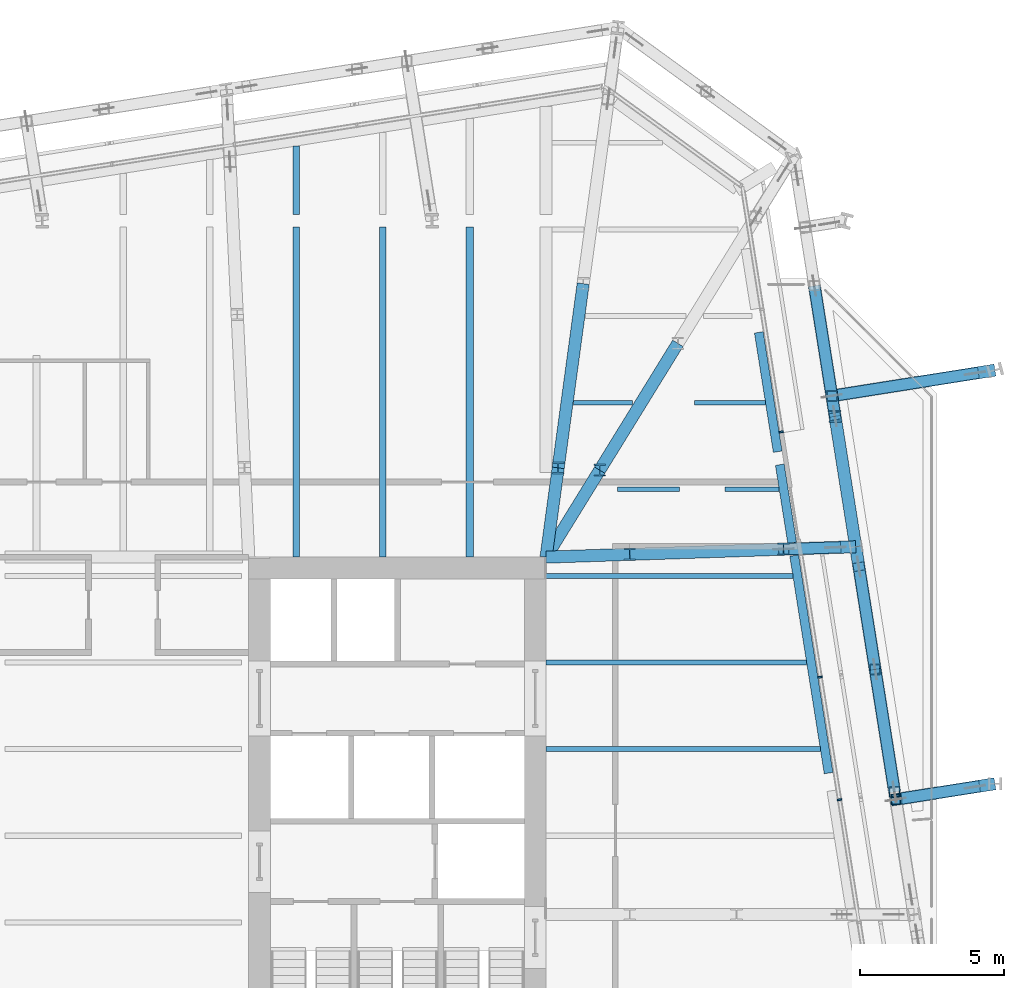
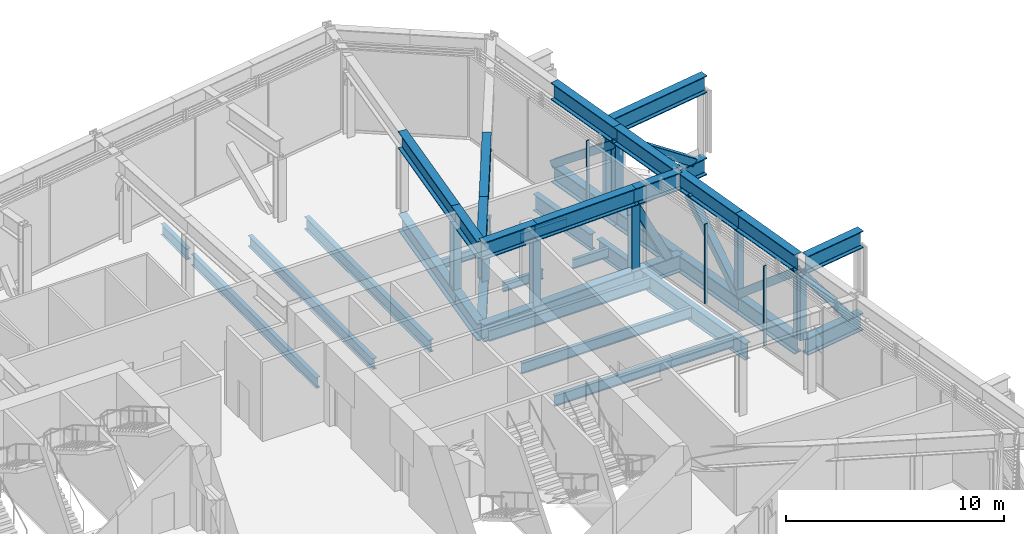
# One storey, part 15 of 32: 40 beams, 18 members, 1 element without a shape of its own.
"""IFC4 building model written with IfcOpenShell, lengths in metres."""

from ifc_helpers import new_model, si_unit, direction, frame, origin, origin_2d, place, context, subcontext, project, spatial, rectangle, hollow_rectangle, i_section, extrude, material, layer, layer_set, material_profile, profile_set, type_object, element, aggregate, save


model = new_model("IFC4")

# Units and contexts
model_context = context("Model", 3, precision=1e-05, world=origin(), true_north=direction((0.0, 1.0)))
body_context = subcontext(model_context, "Body", "Model", "MODEL_VIEW")
ifc_project = project(units=[si_unit("LENGTHUNIT", "METRE"), si_unit("AREAUNIT", "SQUARE_METRE"), si_unit("VOLUMEUNIT", "CUBIC_METRE"), si_unit("PLANEANGLEUNIT", "RADIAN"), si_unit("MASSUNIT", "GRAM", prefix="KILO")], contexts=[model_context])

# Site, building, storey
site_placement = place(None, origin())
site = spatial("IfcSite", under=ifc_project, at=site_placement, CompositionType="ELEMENT")
building_placement = place(site_placement, origin())
building = spatial("IfcBuilding", under=site, at=building_placement, Name="Millrace Tower", CompositionType="ELEMENT")
storey_placement = place(building_placement, frame((0.0, 0.0, 124.89990234375)))
storey = spatial("IfcBuildingStorey", under=building, at=storey_placement, Name="L27", CompositionType="ELEMENT", Elevation=124.89990234375)

# Curtain wall, members
ifc_material_1 = material(Name="Aluminium and glass", Category="aluminium")
ifc_layer = layer(ifc_material_1, 0.14990234375)
ifc_layer_set = layer_set([ifc_layer], Name="Aluminium and glass")
curtain_wall_type = type_object("IfcCurtainWallType", Name="CW-5 truss and plant storey louvred infill", PredefinedType="NOTDEFINED", material=ifc_layer_set)
curtain_wall_placement = place(storey_placement, origin())
curtain_wall = element("IfcCurtainWall", 1, at=curtain_wall_placement, inside=storey, type_object=curtain_wall_type, Name="Curtain wall C-F04 L27", PredefinedType="NOTDEFINED")
ifc_material_2 = material(Name="Aluminium", Category="aluminium")
ifc_material_profile_1 = material_profile(ifc_material_2, rectangle(XDim=0.06494140625, YDim=0.14990234375, at=origin_2d()))
ifc_profile_set_1 = profile_set([ifc_material_profile_1], Name="Aluminium")
member_type_1 = type_object("IfcMemberType", Name="CW-5 truss and plant storey louvred infill mullion", PredefinedType="MULLION", material=ifc_profile_set_1)
member_1_placement = place(storey_placement, frame((24.81591796875, 1.24658203125, 0.14013671875), z_axis=(0.0, 0.0, 1.0), x_axis=(-0.15643447328, 0.98768833929, 0.0)))
member_1 = element("IfcMember", 2, at=member_1_placement, type_object=member_type_1, Name="CW5 mullion C-F04.5", PredefinedType="MULLION", context=body_context, shape_type="SweptSolid", body=[
    extrude(rectangle(XDim=0.06494140625, YDim=0.14990234375, at=origin_2d()), origin(), (0.0, 0.0, 1.0), 4.4599609375),
])
member_2_placement = place(storey_placement, frame((24.143310546875, 5.49365234375, 0.14013671875), z_axis=(0.0, 0.0, 1.0), x_axis=(-0.15643447328, 0.98768833929, 0.0)))
member_2 = element("IfcMember", 3, at=member_2_placement, type_object=member_type_1, Name="CW5 mullion C-F04.6", PredefinedType="MULLION", context=body_context, shape_type="SweptSolid", body=[
    extrude(rectangle(XDim=0.06494140625, YDim=0.14990234375, at=origin_2d()), origin(), (0.0, 0.0, 1.0), 4.4599609375),
])
member_3_placement = place(storey_placement, frame((22.798095703125, 13.98779296875, 0.14013671875), z_axis=(0.0, 0.0, 1.0), x_axis=(-0.15643447328, 0.98768833929, 0.0)))
member_3 = element("IfcMember", 4, at=member_3_placement, type_object=member_type_1, Name="CW5 mullion C-F04.8", PredefinedType="MULLION", context=body_context, shape_type="SweptSolid", body=[
    extrude(rectangle(XDim=0.06494140625, YDim=0.14990234375, at=origin_2d()), origin(), (0.0, 0.0, 1.0), 4.4599609375),
])
aggregate(curtain_wall, [member_1, member_2, member_3])

# Beams
ifc_material_3 = material(Name="Steel ASTM A992 Grade 50", Category="steel")
ifc_material_profile_2 = material_profile(ifc_material_3, i_section(OverallWidth=0.1650390625, OverallDepth=0.52587890625, WebThickness=0.0087890625, FlangeThickness=0.011474609375, FilletRadius=0.0126953125, at=origin_2d()))
ifc_profile_set_2 = profile_set([ifc_material_profile_2], Name="Steel ASTM A992 Grade 50")
beam_type_1 = type_object("IfcBeamType", Name="Floor beam W21x44", PredefinedType="JOIST", material=ifc_profile_set_2)
beam_1_placement = place(storey_placement, frame((20.842041015625, 12.0, -0.4228515625), z_axis=(1.0, 0.0, 0.0), x_axis=(0.0, 1.0, 0.0)))
element("IfcBeam", 5, at=beam_1_placement, inside=storey, type_object=beam_type_1, Name="BM-C-L27-S1-S032-b", PredefinedType="JOIST", context=body_context, shape_type="SweptSolid", body=[
    extrude(i_section(OverallWidth=0.1650390625, OverallDepth=0.52587890625, WebThickness=0.0087890625, FlangeThickness=0.011474609375, FilletRadius=0.0126953125, at=origin_2d()), origin(), (0.0, 0.0, 1.0), 1.8837890625),
])
beam_2_placement = place(storey_placement, frame((19.79833984375, 15.0, -0.4228515625), z_axis=(1.0, 0.0, 0.0), x_axis=(0.0, 1.0, 0.0)))
element("IfcBeam", 6, at=beam_2_placement, inside=storey, type_object=beam_type_1, Name="BM-C-L27-S1-S034-b", PredefinedType="JOIST", context=body_context, shape_type="SweptSolid", body=[
    extrude(i_section(OverallWidth=0.1650390625, OverallDepth=0.52587890625, WebThickness=0.0087890625, FlangeThickness=0.011474609375, FilletRadius=0.0126953125, at=origin_2d()), origin(), (0.0, 0.0, 1.0), 2.4521484375),
])
beam_3_placement = place(storey_placement, frame((17.133056640625, 12.0, -0.4228515625), z_axis=(1.0, 0.0, 0.0), x_axis=(0.0, 1.0, 0.0)))
element("IfcBeam", 7, at=beam_3_placement, inside=storey, type_object=beam_type_1, Name="BM-C-L27-S1-S032-a-b", PredefinedType="JOIST", context=body_context, shape_type="SweptSolid", body=[
    extrude(i_section(OverallWidth=0.1650390625, OverallDepth=0.52587890625, WebThickness=0.0087890625, FlangeThickness=0.011474609375, FilletRadius=0.0126953125, at=origin_2d()), origin(), (0.0, 0.0, 1.0), 2.14208984375),
])
beam_4_placement = place(storey_placement, frame((15.6005859375, 15.0, -0.4228515625), z_axis=(1.0, 0.0, 0.0), x_axis=(0.0, 1.0, 0.0)))
element("IfcBeam", 8, at=beam_4_placement, inside=storey, type_object=beam_type_1, Name="BM-C-L27-S1-S034-a", PredefinedType="JOIST", context=body_context, shape_type="SweptSolid", body=[
    extrude(i_section(OverallWidth=0.1650390625, OverallDepth=0.52587890625, WebThickness=0.0087890625, FlangeThickness=0.011474609375, FilletRadius=0.0126953125, at=origin_2d()), origin(), (0.0, 0.0, 1.0), 2.04638671875),
])
ifc_material_4 = material(Name="Steel ASTM A992 Grade 50", Category="steel")
ifc_material_profile_3 = material_profile(ifc_material_4, i_section(OverallWidth=0.177978515625, OverallDepth=0.599365234375, WebThickness=0.010009765625, FlangeThickness=0.012939453125, FilletRadius=0.012939453125, at=origin_2d()))
ifc_profile_set_3 = profile_set([ifc_material_profile_3], Name="Steel ASTM A992 Grade 50")
beam_type_2 = type_object("IfcBeamType", Name="Floor beam W24x55", PredefinedType="JOIST", material=ifc_profile_set_3)
beam_5_placement = place(storey_placement, frame((14.64990234375, 3.0, -0.459716796875), z_axis=(1.0, 0.0, 0.0), x_axis=(0.0, 1.0, 0.0)))
element("IfcBeam", 9, at=beam_5_placement, inside=storey, type_object=beam_type_2, Name="BM-C-L27-S1-S024", PredefinedType="JOIST", context=body_context, shape_type="SweptSolid", body=[
    extrude(i_section(OverallWidth=0.177978515625, OverallDepth=0.599365234375, WebThickness=0.010009765625, FlangeThickness=0.012939453125, FilletRadius=0.012939453125, at=origin_2d()), origin(), (0.0, 0.0, 1.0), 9.501220703125),
])
beam_6_placement = place(storey_placement, frame((14.64990234375, 6.0, -0.459716796875), z_axis=(1.0, 0.0, 0.0), x_axis=(0.0, 1.0, 0.0)))
element("IfcBeam", 10, at=beam_6_placement, inside=storey, type_object=beam_type_2, Name="BM-C-L27-S1-S027", PredefinedType="JOIST", context=body_context, shape_type="SweptSolid", body=[
    extrude(i_section(OverallWidth=0.177978515625, OverallDepth=0.599365234375, WebThickness=0.010009765625, FlangeThickness=0.012939453125, FilletRadius=0.012939453125, at=origin_2d()), origin(), (0.0, 0.0, 1.0), 9.026123046875),
])
beam_7_placement = place(storey_placement, frame((14.64990234375, 9.0, -0.459716796875), z_axis=(1.0, 0.0, 0.0), x_axis=(0.0, 1.0, 0.0)))
element("IfcBeam", 11, at=beam_7_placement, inside=storey, type_object=beam_type_2, Name="BM-C-L27-S1-S030", PredefinedType="JOIST", context=body_context, shape_type="SweptSolid", body=[
    extrude(i_section(OverallWidth=0.177978515625, OverallDepth=0.599365234375, WebThickness=0.010009765625, FlangeThickness=0.012939453125, FilletRadius=0.012939453125, at=origin_2d()), origin(), (0.0, 0.0, 1.0), 8.551025390625),
])
ifc_material_5 = material(Name="Steel ASTM A992 Grade 50", Category="steel")
ifc_material_profile_4 = material_profile(ifc_material_5, i_section(OverallWidth=0.228271484375, OverallDepth=0.607177734375, WebThickness=0.01123046875, FlangeThickness=0.017333984375, FilletRadius=0.0126953125, at=origin_2d()))
ifc_profile_set_4 = profile_set([ifc_material_profile_4], Name="Steel ASTM A992 Grade 50")
beam_type_3 = type_object("IfcBeamType", Name="Floor beam W24x76", PredefinedType="JOIST", material=ifc_profile_set_4)
for number, where, z_axis, x_axis, name in (
    (12, (9.0, 9.64990234375, -0.46337890625), (0.0, 1.0, 0.0), (-1.0, 0.0, 0.0), "BM-C-L27-S1-S053-a"),
    (13, (6.0, 9.64990234375, -0.46337890625), (0.0, 1.0, 0.0), (-1.0, 0.0, 0.0), "BM-C-L27-S1-S051-a"),
):
    element("IfcBeam", number, at=place(storey_placement, frame(where, z_axis=z_axis, x_axis=x_axis)), inside=storey, type_object=beam_type_3, Name=name, PredefinedType="JOIST", context=body_context, shape_type="SweptSolid", body=[
        extrude(i_section(OverallWidth=0.228271484375, OverallDepth=0.607177734375, WebThickness=0.01123046875, FlangeThickness=0.017333984375, FilletRadius=0.0126953125, at=origin_2d()), origin(), (0.0, 0.0, 1.0), 11.43212890625),
    ])
beam_8_placement = place(storey_placement, frame((6.0, 21.51806640625, -0.46337890625), z_axis=(0.0, 1.0, 0.0), x_axis=(-1.0, 0.0, 0.0)))
element("IfcBeam", 14, at=beam_8_placement, inside=storey, type_object=beam_type_3, Name="BM-C-L27-S1-S051-b", PredefinedType="JOIST", context=body_context, shape_type="SweptSolid", body=[
    extrude(i_section(OverallWidth=0.228271484375, OverallDepth=0.607177734375, WebThickness=0.01123046875, FlangeThickness=0.017333984375, FilletRadius=0.0126953125, at=origin_2d()), origin(), (0.0, 0.0, 1.0), 2.3740234375),
])
ifc_material_6 = material(Name="Steel ASTM A992 Grade 50", Category="steel")
ifc_material_profile_5 = material_profile(ifc_material_6, i_section(OverallWidth=0.256591796875, OverallDepth=0.693359375, WebThickness=0.014404296875, FlangeThickness=0.023681640625, FilletRadius=0.01513671875, at=origin_2d()))
ifc_profile_set_5 = profile_set([ifc_material_profile_5], Name="Steel ASTM A992 Grade 50")
beam_type_4 = type_object("IfcBeamType", Name="Floor beam W27x114", PredefinedType="JOIST", material=ifc_profile_set_5)
beam_9_placement = place(storey_placement, frame((12.0, 9.64990234375, -0.506591796875), z_axis=(0.0, 1.0, 0.0), x_axis=(-1.0, 0.0, 0.0)))
element("IfcBeam", 15, at=beam_9_placement, inside=storey, type_object=beam_type_4, Name="BM-C-L27-S1-S055-a", PredefinedType="JOIST", context=body_context, shape_type="SweptSolid", body=[
    extrude(i_section(OverallWidth=0.256591796875, OverallDepth=0.693359375, WebThickness=0.014404296875, FlangeThickness=0.023681640625, FilletRadius=0.01513671875, at=origin_2d()), origin(), (0.0, 0.0, 1.0), 11.433837890625),
])
ifc_material_7 = material(Name="Steel ASTM A992 Grade 50", Category="steel")
ifc_material_profile_6 = material_profile(ifc_material_7, i_section(OverallWidth=0.307373046875, OverallDepth=0.927001953125, WebThickness=0.01953125, FlangeThickness=0.031982421875, FilletRadius=0.01904296875, at=origin_2d()))
ifc_profile_set_6 = profile_set([ifc_material_profile_6], Name="Steel ASTM A992 Grade 50")
beam_type_5 = type_object("IfcBeamType", Name="Ring beam short span W36x194", PredefinedType="SPANDREL", material=ifc_profile_set_6)
beam_10_placement = place(storey_placement, frame((23.244873046875, 9.704345703125, -0.62353515625), z_axis=(0.15643257318, -0.987688640235, 0.0), x_axis=(0.987688640235, 0.15643257318, 0.0)))
element("IfcBeam", 16, at=beam_10_placement, inside=storey, type_object=beam_type_5, Name="RNG-C-L27-S1-10-a", PredefinedType="SPANDREL", context=body_context, shape_type="SweptSolid", body=[
    extrude(i_section(OverallWidth=0.307373046875, OverallDepth=0.927001953125, WebThickness=0.01953125, FlangeThickness=0.031982421875, FilletRadius=0.01904296875, at=origin_2d()), origin(), (0.0, 0.0, 1.0), 7.628662109375),
])
beam_11_placement = place(storey_placement, frame((22.746337890625, 12.852294921875, -0.62353515625), z_axis=(0.156415652996, -0.987691319947, 0.0), x_axis=(0.987691319947, 0.156415652996, 0.0)))
element("IfcBeam", 17, at=beam_11_placement, inside=storey, type_object=beam_type_5, Name="RNG-C-L27-S1-09-b", PredefinedType="SPANDREL", context=body_context, shape_type="SweptSolid", body=[
    extrude(i_section(OverallWidth=0.307373046875, OverallDepth=0.927001953125, WebThickness=0.01953125, FlangeThickness=0.031982421875, FilletRadius=0.01904296875, at=origin_2d()), origin(), (0.0, 0.0, 1.0), 2.7392578125),
])
beam_12_placement = place(storey_placement, frame((22.020263671875, 17.436767578125, -0.62353515625), z_axis=(0.156429792966, -0.987689080568, 0.0), x_axis=(0.987689080568, 0.156429792966, 0.0)))
element("IfcBeam", 18, at=beam_12_placement, inside=storey, type_object=beam_type_5, Name="RNG-C-L27-S1-09-a-b", PredefinedType="SPANDREL", context=body_context, shape_type="SweptSolid", body=[
    extrude(i_section(OverallWidth=0.307373046875, OverallDepth=0.927001953125, WebThickness=0.01953125, FlangeThickness=0.031982421875, FilletRadius=0.01904296875, at=origin_2d()), origin(), (0.0, 0.0, 1.0), 4.185791015625),
])

# Members
ifc_material_8 = material(Name="Steel ASTM A992 Grade 50", Category="steel")
ifc_material_profile_7 = material_profile(ifc_material_8, i_section(OverallWidth=0.406494140625, OverallDepth=0.41650390625, WebThickness=0.030029296875, FlangeThickness=0.048095703125, FilletRadius=0.01513671875, at=origin_2d()))
ifc_profile_set_7 = profile_set([ifc_material_profile_7], Name="Steel ASTM A992 Grade 50")
member_type_2 = type_object("IfcMemberType", Name="Transfer truss Vierendeel moment post W14x257", PredefinedType="POST", material=ifc_profile_set_7)
for number, where, z_axis, x_axis, name in (
    (19, (24.6611328125, 14.529541015625, -0.159912109375), (0.0, 0.0, 1.0), (1.0, 0.0, 0.0), "TRS-L27-R08-V01"),
    (20, (22.87841796875, 9.92578125, -0.159912109375), (0.0, 0.0, 1.0), (1.0, 0.0, 0.0), "TRS-L27-C08-V01"),
    (21, (17.54833984375, 9.7470703125, -0.159912109375), (0.0, 0.0, 1.0), (1.0, 0.0, 0.0), "TRS-L27-C08-V02"),
    (22, (16.507568359375, 12.66357421875, -0.159912109375), (0.0, 0.0, 1.0), (1.0, 0.0, 0.0), "TRS-L27-C09-V03"),
    (23, (15.06982421875, 12.74169921875, -0.159912109375), (0.0, 0.0, 1.0), (1.0, 0.0, 0.0), "TRS-L27-C10-V03"),
):
    element("IfcMember", number, at=place(storey_placement, frame(where, z_axis=z_axis, x_axis=x_axis)), inside=storey, type_object=member_type_2, Name=name, PredefinedType="POST", context=body_context, shape_type="SweptSolid", body=[
        extrude(i_section(OverallWidth=0.406494140625, OverallDepth=0.41650390625, WebThickness=0.030029296875, FlangeThickness=0.048095703125, FilletRadius=0.01513671875, at=origin_2d()), origin(), (0.0, 0.0, 1.0), 3.642333984375),
    ])

# Beams
ifc_material_9 = material(Name="Steel ASTM A992 Grade 50", Category="steel")
ifc_material_profile_8 = material_profile(ifc_material_9, i_section(OverallWidth=0.421630859375, OverallDepth=0.95751953125, WebThickness=0.02587890625, FlangeThickness=0.046875, FilletRadius=0.024169921875, at=origin_2d()))
ifc_profile_set_8 = profile_set([ifc_material_profile_8], Name="Steel ASTM A992 Grade 50")
beam_type_6 = type_object("IfcBeamType", Name="Transfer truss chord W36x330", PredefinedType="BEAM", material=ifc_profile_set_8)
for number, where, z_axis, x_axis, name in (
    (24, (26.722412109375, 1.515625, -0.638671875), (-0.15642030113, 0.987690583834, 0.0), (-0.987690583834, -0.15642030113, 0.0), "TRS-L27-R07-B02"),
    (25, (26.722412109375, 1.515625, 3.96142578125), (-0.15642030113, 0.987690583834, 0.0), (-0.987690583834, -0.15642030113, 0.0), "TRS-L27-R07-T02"),
    (26, (26.0498046875, 5.7626953125, -0.638671875), (-0.156475688094, 0.987681810623, 0.0), (-0.987681810623, -0.156475688094, 0.0), "TRS-L27-R07-B03"),
    (27, (26.0498046875, 5.7626953125, 3.96142578125), (-0.156475688094, 0.987681810623, 0.0), (-0.987681810623, -0.156475688094, 0.0), "TRS-L27-R07-T03"),
):
    element("IfcBeam", number, at=place(storey_placement, frame(where, z_axis=z_axis, x_axis=x_axis)), inside=storey, type_object=beam_type_6, Name=name, PredefinedType="BEAM", context=body_context, shape_type="SweptSolid", body=[
        extrude(i_section(OverallWidth=0.421630859375, OverallDepth=0.95751953125, WebThickness=0.02587890625, FlangeThickness=0.046875, FilletRadius=0.024169921875, at=origin_2d()), origin(), (0.0, 0.0, 1.0), 4.300048828125),
    ])
for number, where, z_axis, x_axis, name in (
    (28, (25.376953125, 10.009765625, -0.638671875), (-0.156425557764, 0.987689751328, 0.0), (-0.987689751328, -0.156425557764, 0.0), "TRS-L27-R08-B01"),
    (29, (25.376953125, 10.009765625, 3.96142578125), (-0.156425557764, 0.987689751328, 0.0), (-0.987689751328, -0.156425557764, 0.0), "TRS-L27-R08-T01"),
    (30, (24.6611328125, 14.529541015625, -0.638671875), (-0.156425557764, 0.987689751328, 0.0), (-0.987689751328, -0.156425557764, 0.0), "TRS-L27-R08-B02"),
    (31, (24.6611328125, 14.529541015625, 3.96142578125), (-0.156425557764, 0.987689751328, 0.0), (-0.987689751328, -0.156425557764, 0.0), "TRS-L27-R08-T02"),
):
    element("IfcBeam", number, at=place(storey_placement, frame(where, z_axis=z_axis, x_axis=x_axis)), inside=storey, type_object=beam_type_6, Name=name, PredefinedType="BEAM", context=body_context, shape_type="SweptSolid", body=[
        extrude(i_section(OverallWidth=0.421630859375, OverallDepth=0.95751953125, WebThickness=0.02587890625, FlangeThickness=0.046875, FilletRadius=0.024169921875, at=origin_2d()), origin(), (0.0, 0.0, 1.0), 4.576171875),
    ])
for number, where, z_axis, x_axis, name in (
    (32, (25.376953125, 10.009765625, -0.638671875), (-0.999435546417, -0.033594472148, 0.0), (0.033594472148, -0.999435546417, 0.0), "TRS-L27-C08-B01"),
    (33, (25.376953125, 10.009765625, 3.96142578125), (-0.999435546417, -0.033594472148, 0.0), (0.033594472148, -0.999435546417, 0.0), "TRS-L27-C08-T01"),
):
    element("IfcBeam", number, at=place(storey_placement, frame(where, z_axis=z_axis, x_axis=x_axis)), inside=storey, type_object=beam_type_6, Name=name, PredefinedType="BEAM", context=body_context, shape_type="SweptSolid", body=[
        extrude(i_section(OverallWidth=0.421630859375, OverallDepth=0.95751953125, WebThickness=0.02587890625, FlangeThickness=0.046875, FilletRadius=0.024169921875, at=origin_2d()), origin(), (0.0, 0.0, 1.0), 2.5),
    ])
for number, where, z_axis, x_axis, name in (
    (34, (22.87841796875, 9.92578125, -0.638671875), (-0.999438384428, -0.033509934839, 0.0), (0.033509934839, -0.999438384428, 0.0), "TRS-L27-C08-B02"),
    (35, (22.87841796875, 9.92578125, 3.96142578125), (-0.999438384428, -0.033509934839, 0.0), (0.033509934839, -0.999438384428, 0.0), "TRS-L27-C08-T02"),
):
    element("IfcBeam", number, at=place(storey_placement, frame(where, z_axis=z_axis, x_axis=x_axis)), inside=storey, type_object=beam_type_6, Name=name, PredefinedType="BEAM", context=body_context, shape_type="SweptSolid", body=[
        extrude(i_section(OverallWidth=0.421630859375, OverallDepth=0.95751953125, WebThickness=0.02587890625, FlangeThickness=0.046875, FilletRadius=0.024169921875, at=origin_2d()), origin(), (0.0, 0.0, 1.0), 5.3330078125),
    ])
for number, where, z_axis, x_axis, name in (
    (36, (17.54833984375, 9.7470703125, -0.638671875), (-0.999438535256, -0.033505436071, 0.0), (0.033505436071, -0.999438535256, 0.0), "TRS-L27-C08-B03"),
    (37, (17.54833984375, 9.7470703125, 3.96142578125), (-0.999438535256, -0.033505436071, 0.0), (0.033505436071, -0.999438535256, 0.0), "TRS-L27-C08-T03"),
):
    element("IfcBeam", number, at=place(storey_placement, frame(where, z_axis=z_axis, x_axis=x_axis)), inside=storey, type_object=beam_type_6, Name=name, PredefinedType="BEAM", context=body_context, shape_type="SweptSolid", body=[
        extrude(i_section(OverallWidth=0.421630859375, OverallDepth=0.95751953125, WebThickness=0.02587890625, FlangeThickness=0.046875, FilletRadius=0.024169921875, at=origin_2d()), origin(), (0.0, 0.0, 1.0), 2.900146484375),
    ])
for number, where, z_axis, x_axis, name in (
    (38, (19.21533203125, 17.056884765625, -0.638671875), (-0.52468590148, -0.851295897316, 0.0), (0.851295897316, -0.52468590148, 0.0), "TRS-L27-C09-B03"),
    (39, (19.21533203125, 17.056884765625, 3.96142578125), (-0.52468590148, -0.851295897316, 0.0), (0.851295897316, -0.52468590148, 0.0), "TRS-L27-C09-T03"),
):
    element("IfcBeam", number, at=place(storey_placement, frame(where, z_axis=z_axis, x_axis=x_axis)), inside=storey, type_object=beam_type_6, Name=name, PredefinedType="BEAM", context=body_context, shape_type="SweptSolid", body=[
        extrude(i_section(OverallWidth=0.421630859375, OverallDepth=0.95751953125, WebThickness=0.02587890625, FlangeThickness=0.046875, FilletRadius=0.024169921875, at=origin_2d()), origin(), (0.0, 0.0, 1.0), 5.16064453125),
    ])
for number, where, z_axis, x_axis, name in (
    (40, (16.507568359375, 12.66357421875, -0.638671875), (-0.524732145158, -0.851267393853, 0.0), (0.851267393853, -0.524732145158, 0.0), "TRS-L27-C09-B04"),
    (41, (16.507568359375, 12.66357421875, 3.96142578125), (-0.524732145158, -0.851267393853, 0.0), (0.851267393853, -0.524732145158, 0.0), "TRS-L27-C09-T04"),
):
    element("IfcBeam", number, at=place(storey_placement, frame(where, z_axis=z_axis, x_axis=x_axis)), inside=storey, type_object=beam_type_6, Name=name, PredefinedType="BEAM", context=body_context, shape_type="SweptSolid", body=[
        extrude(i_section(OverallWidth=0.421630859375, OverallDepth=0.95751953125, WebThickness=0.02587890625, FlangeThickness=0.046875, FilletRadius=0.024169921875, at=origin_2d()), origin(), (0.0, 0.0, 1.0), 3.540283203125),
    ])
for number, where, z_axis, x_axis, name in (
    (42, (15.9365234375, 19.1240234375, -0.638671875), (-0.134561758542, -0.990905208957, 0.0), (0.990905208957, -0.134561758542, 0.0), "TRS-L27-C10-B03"),
    (43, (15.9365234375, 19.1240234375, 3.96142578125), (-0.134561758542, -0.990905208957, 0.0), (0.990905208957, -0.134561758542, 0.0), "TRS-L27-C10-T03"),
):
    element("IfcBeam", number, at=place(storey_placement, frame(where, z_axis=z_axis, x_axis=x_axis)), inside=storey, type_object=beam_type_6, Name=name, PredefinedType="BEAM", context=body_context, shape_type="SweptSolid", body=[
        extrude(i_section(OverallWidth=0.421630859375, OverallDepth=0.95751953125, WebThickness=0.02587890625, FlangeThickness=0.046875, FilletRadius=0.024169921875, at=origin_2d()), origin(), (0.0, 0.0, 1.0), 6.44091796875),
    ])
for number, where, z_axis, x_axis, name in (
    (44, (15.06982421875, 12.74169921875, -0.638671875), (-0.134582448396, -0.990902399121, 0.0), (0.990902399121, -0.134582448396, 0.0), "TRS-L27-C10-B04"),
    (45, (15.06982421875, 12.74169921875, 3.96142578125), (-0.134582448396, -0.990902399121, 0.0), (0.990902399121, -0.134582448396, 0.0), "TRS-L27-C10-T04"),
):
    element("IfcBeam", number, at=place(storey_placement, frame(where, z_axis=z_axis, x_axis=x_axis)), inside=storey, type_object=beam_type_6, Name=name, PredefinedType="BEAM", context=body_context, shape_type="SweptSolid", body=[
        extrude(i_section(OverallWidth=0.421630859375, OverallDepth=0.95751953125, WebThickness=0.02587890625, FlangeThickness=0.046875, FilletRadius=0.024169921875, at=origin_2d()), origin(), (0.0, 0.0, 1.0), 3.1201171875),
    ])
for number, where, z_axis, x_axis, name in (
    (46, (30.199951171875, 1.800048828125, -0.638671875), (-0.98769200407, -0.15641133302, 0.0), (0.15641133302, -0.98769200407, 0.0), "TRS-L27-B-B-X08-B01"),
    (47, (30.199951171875, 1.800048828125, 3.96142578125), (-0.98769200407, -0.15641133302, 0.0), (0.15641133302, -0.98769200407, 0.0), "TRS-L27-B-B-X08-T01"),
):
    element("IfcBeam", number, at=place(storey_placement, frame(where, z_axis=z_axis, x_axis=x_axis)), inside=storey, type_object=beam_type_6, Name=name, PredefinedType="BEAM", context=body_context, shape_type="SweptSolid", body=[
        extrude(i_section(OverallWidth=0.421630859375, OverallDepth=0.95751953125, WebThickness=0.02587890625, FlangeThickness=0.046875, FilletRadius=0.024169921875, at=origin_2d()), origin(), (0.0, 0.0, 1.0), 3.2685546875),
    ])
for number, where, z_axis, x_axis, name in (
    (48, (30.199951171875, 16.12841796875, -0.638671875), (-0.987692088967, -0.156410796916, 0.0), (0.156410796916, -0.987692088967, 0.0), "TRS-L27-B-B-X09-B01"),
    (49, (30.199951171875, 16.12841796875, 3.96142578125), (-0.987692088967, -0.156410796916, 0.0), (0.156410796916, -0.987692088967, 0.0), "TRS-L27-B-B-X09-T01"),
):
    element("IfcBeam", number, at=place(storey_placement, frame(where, z_axis=z_axis, x_axis=x_axis)), inside=storey, type_object=beam_type_6, Name=name, PredefinedType="BEAM", context=body_context, shape_type="SweptSolid", body=[
        extrude(i_section(OverallWidth=0.421630859375, OverallDepth=0.95751953125, WebThickness=0.02587890625, FlangeThickness=0.046875, FilletRadius=0.024169921875, at=origin_2d()), origin(), (0.0, 0.0, 1.0), 5.510009765625),
    ])

# Members
ifc_material_10 = material(Name="Steel ASTM A500 Grade C", Category="steel")
ifc_material_profile_9 = material_profile(ifc_material_10, hollow_rectangle(XDim=0.406494140625, YDim=0.406494140625, WallThickness=0.0126953125, InnerFilletRadius=0.00634765625, OuterFilletRadius=0.01904296875, at=origin_2d()))
ifc_profile_set_9 = profile_set([ifc_material_profile_9], Name="Steel ASTM A500 Grade C")
member_type_3 = type_object("IfcMemberType", Name="Transfer truss diagonal HSS16x16x1/2", PredefinedType="BRACE", material=ifc_profile_set_9)
member_4_placement = place(storey_placement, frame((26.0498046875, 5.7626953125, -0.159912109375), z_axis=(0.119356102734, -0.753654723467, 0.64634253963), x_axis=(0.987690583834, 0.15642030113, 0.0)))
element("IfcMember", 50, at=member_4_placement, inside=storey, type_object=member_type_3, Name="TRS-L27-R07-D02", PredefinedType="BRACE", context=body_context, shape_type="SweptSolid", body=[
    extrude(hollow_rectangle(XDim=0.406494140625, YDim=0.406494140625, WallThickness=0.0126953125, InnerFilletRadius=0.00634765625, OuterFilletRadius=0.01904296875, at=origin_2d()), origin(), (0.0, 0.0, 1.0), 5.63525390625),
])
member_5_placement = place(storey_placement, frame((26.0498046875, 5.7626953125, -0.159912109375), z_axis=(-0.109980796619, 0.694304430848, 0.711228220531), x_axis=(-0.987685312069, -0.156453585206, 0.0)))
element("IfcMember", 51, at=member_5_placement, inside=storey, type_object=member_type_3, Name="TRS-L27-R07-D03", PredefinedType="BRACE", context=body_context, shape_type="SweptSolid", body=[
    extrude(hollow_rectangle(XDim=0.406494140625, YDim=0.406494140625, WallThickness=0.0126953125, InnerFilletRadius=0.00634765625, OuterFilletRadius=0.01904296875, at=origin_2d()), origin(), (0.0, 0.0, 1.0), 5.12109375),
])
member_6_placement = place(storey_placement, frame((23.9453125, 19.04931640625, -0.159912109375), z_axis=(0.122389512855, -0.772782077588, 0.622758916196), x_axis=(0.987689751328, 0.156425557764, 0.0)))
element("IfcMember", 52, at=member_6_placement, inside=storey, type_object=member_type_3, Name="TRS-L27-R08-D02", PredefinedType="BRACE", context=body_context, shape_type="SweptSolid", body=[
    extrude(hollow_rectangle(XDim=0.406494140625, YDim=0.406494140625, WallThickness=0.0126953125, InnerFilletRadius=0.00634765625, OuterFilletRadius=0.01904296875, at=origin_2d()), origin(), (0.0, 0.0, 1.0), 5.8486328125),
])
member_7_placement = place(storey_placement, frame((24.677490234375, 9.986328125, -0.159912109375), z_axis=(-0.442808078423, -0.014902483844, 0.896492566427), x_axis=(0.033635455782, -0.999434167974, 0.0)))
element("IfcMember", 53, at=member_7_placement, inside=storey, type_object=member_type_3, Name="TRS-L27-C08-D01", PredefinedType="BRACE", context=body_context, shape_type="SweptSolid", body=[
    extrude(hollow_rectangle(XDim=0.406494140625, YDim=0.406494140625, WallThickness=0.0126953125, InnerFilletRadius=0.00634765625, OuterFilletRadius=0.01904296875, at=origin_2d()), origin(), (0.0, 0.0, 1.0), 4.06298828125),
])
member_8_placement = place(storey_placement, frame((29.508544921875, 1.6904296875, -0.159912109375), z_axis=(-0.599157393696, -0.094903888133, 0.794986584539), x_axis=(0.156445206728, -0.987686639219, 0.0)))
element("IfcMember", 54, at=member_8_placement, inside=storey, type_object=member_type_3, Name="TRS-L27-B-B-X08-D01", PredefinedType="BRACE", context=body_context, shape_type="SweptSolid", body=[
    extrude(hollow_rectangle(XDim=0.406494140625, YDim=0.406494140625, WallThickness=0.0126953125, InnerFilletRadius=0.00634765625, OuterFilletRadius=0.01904296875, at=origin_2d()), origin(), (0.0, 0.0, 1.0), 4.58154296875),
])
member_9_placement = place(storey_placement, frame((29.508544921875, 16.01904296875, -0.159912109375), z_axis=(-0.799468566181, -0.12665861786, 0.587203206915), x_axis=(0.156476931502, -0.987681613633, 0.0)))
element("IfcMember", 55, at=member_9_placement, inside=storey, type_object=member_type_3, Name="TRS-L27-B-B-X09-D01", PredefinedType="BRACE", context=body_context, shape_type="SweptSolid", body=[
    extrude(hollow_rectangle(XDim=0.406494140625, YDim=0.406494140625, WallThickness=0.0126953125, InnerFilletRadius=0.00634765625, OuterFilletRadius=0.01904296875, at=origin_2d()), origin(), (0.0, 0.0, 1.0), 6.202880859375),
])
ifc_material_11 = material(Name="Steel ASTM A500 Grade C", Category="steel")
ifc_material_profile_10 = material_profile(ifc_material_11, hollow_rectangle(XDim=0.355712890625, YDim=0.355712890625, WallThickness=0.015869140625, InnerFilletRadius=0.008056640625, OuterFilletRadius=0.02392578125, at=origin_2d()))
ifc_profile_set_10 = profile_set([ifc_material_profile_10], Name="Steel ASTM A500 Grade C")
member_type_4 = type_object("IfcMemberType", Name="Transfer truss post HSS14x14x5/8", PredefinedType="POST", material=ifc_profile_set_10)
for number, where, z_axis, x_axis, name in (
    (56, (26.722412109375, 1.515625, -0.159912109375), (0.0, 0.0, 1.0), (1.0, 0.0, 0.0), "TRS-L27-R07-V01"),
    (57, (26.0498046875, 5.7626953125, -0.159912109375), (0.0, 0.0, 1.0), (1.0, 0.0, 0.0), "TRS-L27-R07-V02"),
    (58, (26.763427734375, 1.255615234375, -0.159912109375), (0.0, 0.0, 1.0), (1.0, 0.0, 0.0), "TRS-L27-B-B-X08-V01"),
    (59, (24.549560546875, 15.2333984375, -0.159912109375), (0.0, 0.0, 1.0), (1.0, 0.0, 0.0), "TRS-L27-B-B-X09-V01"),
):
    element("IfcMember", number, at=place(storey_placement, frame(where, z_axis=z_axis, x_axis=x_axis)), inside=storey, type_object=member_type_4, Name=name, PredefinedType="POST", context=body_context, shape_type="SweptSolid", body=[
        extrude(hollow_rectangle(XDim=0.355712890625, YDim=0.355712890625, WallThickness=0.015869140625, InnerFilletRadius=0.008056640625, OuterFilletRadius=0.02392578125, at=origin_2d()), origin(), (0.0, 0.0, 1.0), 3.642333984375),
    ])

save(model, "model.ifc")
